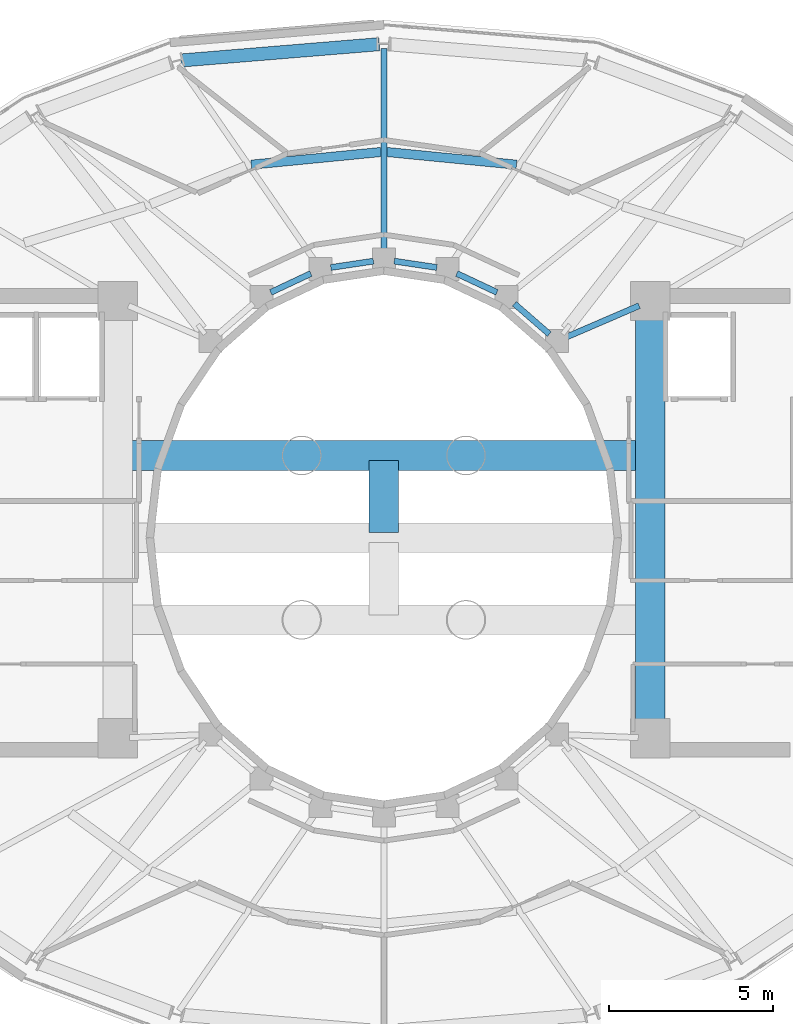
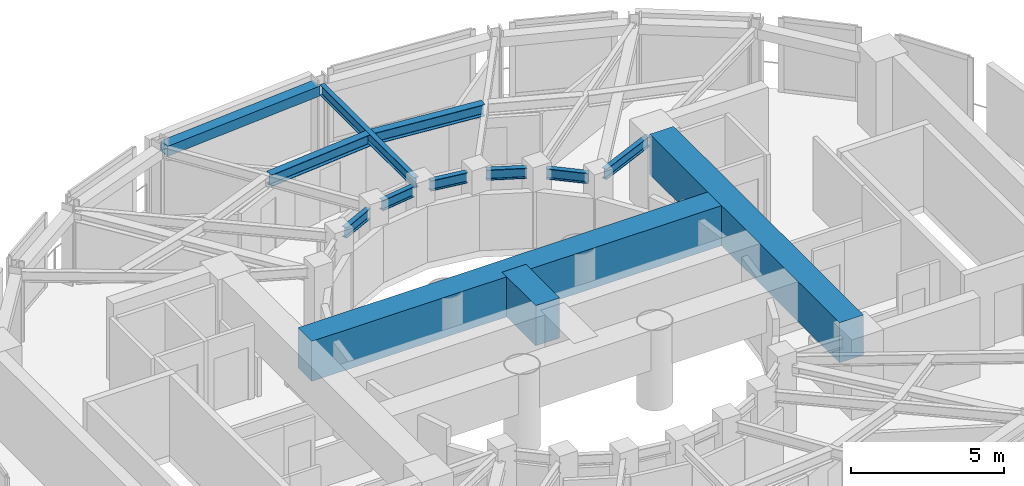
# One storey, part 10 of 17: 13 beams.
"""IFC4 building model written with IfcOpenShell, lengths in metres."""

from ifc_helpers import new_model, si_unit, direction, frame, origin, origin_2d, place, context, subcontext, project, spatial, rectangle, hollow_rectangle, i_section, extrude, material, material_profile, profile_set, type_object, element, save


model = new_model("IFC4")

# Units and contexts
model_context = context("Model", 3, precision=1e-05, world=origin(), true_north=direction((0.0, 1.0)))
body_context = subcontext(model_context, "Body", "Model", "MODEL_VIEW")
ifc_project = project(units=[si_unit("LENGTHUNIT", "METRE"), si_unit("AREAUNIT", "SQUARE_METRE"), si_unit("VOLUMEUNIT", "CUBIC_METRE"), si_unit("PLANEANGLEUNIT", "RADIAN"), si_unit("MASSUNIT", "GRAM", prefix="KILO")], contexts=[model_context])

# Site, building, storey
site_placement = place(None, origin())
site = spatial("IfcSite", under=ifc_project, at=site_placement, CompositionType="ELEMENT")
building_placement = place(site_placement, origin())
building = spatial("IfcBuilding", under=site, at=building_placement, Name="Solvane Sanctuary Tower", CompositionType="ELEMENT")
storey_placement = place(building_placement, frame((0.0, 0.0, 276.39990234375)))
storey = spatial("IfcBuildingStorey", under=building, at=storey_placement, Name="L84", CompositionType="ELEMENT", Elevation=276.39990234375)

# Beams
ifc_material_1 = material(Name="Steel ASTM A913 Grade 65", Category="steel")
ifc_material_profile_1 = material_profile(ifc_material_1, hollow_rectangle(XDim=0.39990234375, YDim=0.39990234375, WallThickness=0.01611328125, at=origin_2d()), Name="HSS400X400X16")
ifc_profile_set_1 = profile_set([ifc_material_profile_1], Name="Steel ASTM A913 Grade 65")
beam_type_1 = type_object("IfcBeamType", Name="Beam B-CROWN-CAP HSS400X400X16", PredefinedType="T_BEAM", material=ifc_profile_set_1)
beam_1_placement = place(storey_placement, frame((25.8310546875, 37.517333984375, 2.748046875), z_axis=(0.996632319823, 0.082000116366, 0.0), x_axis=(-0.082000116366, 0.996632319823, 0.0)))
element("IfcBeam", 1, at=beam_1_placement, inside=storey, type_object=beam_type_1, Name="L84 Perimeter Spandrel Beam TC05-TC04", PredefinedType="T_BEAM", context=body_context, shape_type="SweptSolid", body=[
    extrude(hollow_rectangle(XDim=0.39990234375, YDim=0.39990234375, WallThickness=0.01611328125, at=origin_2d()), origin(), (0.0, 0.0, 1.0), 6.0498046875),
])
ifc_material_2 = material(Name="Steel ASTM A992 Grade 50", Category="steel")
ifc_material_profile_2 = material_profile(ifc_material_2, i_section(OverallWidth=0.180908203125, OverallDepth=0.4169921875, WebThickness=0.010986328125, FlangeThickness=0.018310546875, FilletRadius=0.012939453125, at=origin_2d()), Name="W16X57")
ifc_profile_set_2 = profile_set([ifc_material_profile_2], Name="Steel ASTM A992 Grade 50")
beam_type_2 = type_object("IfcBeamType", Name="Beam B-ROOF-BM W16X57", PredefinedType="BEAM", material=ifc_profile_set_2)
beam_2_placement = place(storey_placement, frame((28.5595703125, 30.462646484375, 2.739501953125), z_axis=(0.905134542189, 0.425125229241, 0.0), x_axis=(-0.425125229241, 0.905134542189, 0.0)))
element("IfcBeam", 2, at=beam_2_placement, inside=storey, type_object=beam_type_2, Name="L84 Inner Light-Well Ring Beam IC06-IC05", PredefinedType="BEAM", context=body_context, shape_type="SweptSolid", body=[
    extrude(i_section(OverallWidth=0.180908203125, OverallDepth=0.4169921875, WebThickness=0.010986328125, FlangeThickness=0.018310546875, FilletRadius=0.012939453125, at=origin_2d()), origin(), (0.0, 0.0, 1.0), 1.347900390625),
])
for number, where, z_axis, x_axis, name in (
    (3, (30.3857421875, 31.218994140625, 2.739501953125), (0.989056121481, 0.147539786368, 0.0), (-0.147539786368, 0.989056121481, 0.0), "L84 Inner Light-Well Ring Beam IC05-IC04"),
    (4, (32.31640625, 31.41259765625, 2.739501953125), (0.989056121481, -0.147539786368, 0.0), (0.147539786368, 0.989056121481, 0.0), "L84 Inner Light-Well Ring Beam IC04-IC03"),
):
    element("IfcBeam", number, at=place(storey_placement, frame(where, z_axis=z_axis, x_axis=x_axis)), inside=storey, type_object=beam_type_2, Name=name, PredefinedType="BEAM", context=body_context, shape_type="SweptSolid", body=[
        extrude(i_section(OverallWidth=0.180908203125, OverallDepth=0.4169921875, WebThickness=0.010986328125, FlangeThickness=0.018310546875, FilletRadius=0.012939453125, at=origin_2d()), origin(), (0.0, 0.0, 1.0), 1.312255859375),
    ])
beam_3_placement = place(storey_placement, frame((34.220458984375, 31.03564453125, 2.739501953125), z_axis=(0.905134542189, -0.425125229241, 0.0), x_axis=(0.425125229241, 0.905134542189, 0.0)))
element("IfcBeam", 5, at=beam_3_placement, inside=storey, type_object=beam_type_2, Name="L84 Inner Light-Well Ring Beam IC03-IC02", PredefinedType="BEAM", context=body_context, shape_type="SweptSolid", body=[
    extrude(i_section(OverallWidth=0.180908203125, OverallDepth=0.4169921875, WebThickness=0.010986328125, FlangeThickness=0.018310546875, FilletRadius=0.012939453125, at=origin_2d()), origin(), (0.0, 0.0, 1.0), 1.347900390625),
])
beam_4_placement = place(storey_placement, frame((35.971435546875, 30.116455078125, 2.739501953125), z_axis=(0.754388985763, -0.656427648839, 0.0), x_axis=(0.656427648839, 0.754388985763, 0.0)))
element("IfcBeam", 6, at=beam_4_placement, inside=storey, type_object=beam_type_2, Name="L84 Inner Light-Well Ring Beam IC02-IC01", PredefinedType="BEAM", context=body_context, shape_type="SweptSolid", body=[
    extrude(i_section(OverallWidth=0.180908203125, OverallDepth=0.4169921875, WebThickness=0.010986328125, FlangeThickness=0.018310546875, FilletRadius=0.012939453125, at=origin_2d()), origin(), (0.0, 0.0, 1.0), 1.408203125),
])
beam_5_placement = place(storey_placement, frame((37.56884765625, 29.10888671875, 2.739501953125), z_axis=(0.918283854026, 0.395922673554, 0.0), x_axis=(-0.395922673554, 0.918283854026, 0.0)))
element("IfcBeam", 7, at=beam_5_placement, inside=storey, type_object=beam_type_2, Name="L84 Inner Light-Well Ring Beam IC01-CE4", PredefinedType="BEAM", context=body_context, shape_type="SweptSolid", body=[
    extrude(i_section(OverallWidth=0.180908203125, OverallDepth=0.4169921875, WebThickness=0.010986328125, FlangeThickness=0.018310546875, FilletRadius=0.012939453125, at=origin_2d()), origin(), (0.0, 0.0, 1.0), 2.396240234375),
])
beam_6_placement = place(storey_placement, frame((32.0, 31.739990234375, 2.739501953125), z_axis=(0.0, 1.0, 0.0), x_axis=(-1.0, 0.0, 0.0)))
element("IfcBeam", 8, at=beam_6_placement, inside=storey, type_object=beam_type_2, Name="L84 Radial Composite Floor Beam 04", PredefinedType="BEAM", context=body_context, shape_type="SweptSolid", body=[
    extrude(i_section(OverallWidth=0.180908203125, OverallDepth=0.4169921875, WebThickness=0.010986328125, FlangeThickness=0.018310546875, FilletRadius=0.012939453125, at=origin_2d()), origin(), (0.0, 0.0, 1.0), 6.14501953125),
])
ifc_material_profile_3 = material_profile(ifc_material_2, i_section(OverallWidth=0.280029296875, OverallDepth=0.462890625, WebThickness=0.0107421875, FlangeThickness=0.017333984375, FilletRadius=0.013916015625, at=origin_2d()), Name="W18X76")
ifc_profile_set_3 = profile_set([ifc_material_profile_3], Name="Steel ASTM A992 Grade 50")
beam_type_3 = type_object("IfcBeamType", Name="Beam B-SEC-JOIST W18X76", PredefinedType="JOIST", material=ifc_profile_set_3)
for number, where, z_axis, x_axis, name in (
    (9, (27.965576171875, 34.34716796875, 2.716552734375), (0.995233795259, 0.097517653653, 0.0), (-0.097517653653, 0.995233795259, 0.0), "L84 Secondary Circumferential Joist 05-04"),
    (10, (32.085205078125, 34.734130859375, 2.716552734375), (0.995233795259, -0.097517653653, 0.0), (0.097517653653, 0.995233795259, 0.0), "L84 Secondary Circumferential Joist 04-03"),
):
    element("IfcBeam", number, at=place(storey_placement, frame(where, z_axis=z_axis, x_axis=x_axis)), inside=storey, type_object=beam_type_3, Name=name, PredefinedType="JOIST", context=body_context, shape_type="SweptSolid", body=[
        extrude(i_section(OverallWidth=0.280029296875, OverallDepth=0.462890625, WebThickness=0.0107421875, FlangeThickness=0.017333984375, FilletRadius=0.013916015625, at=origin_2d()), origin(), (0.0, 0.0, 1.0), 3.968017578125),
    ])
ifc_material_3 = material(Name="Concrete C60/75", Category="concrete")
ifc_material_profile_4 = material_profile(ifc_material_3, rectangle(XDim=0.89990234375, YDim=1.60009765625, at=origin_2d()), Name="RC900X1600")
ifc_profile_set_4 = profile_set([ifc_material_profile_4], Name="Concrete C60/75")
beam_type_4 = type_object("IfcBeamType", Name="Beam B-XFER-SP RC900X1600", PredefinedType="BEAM", material=ifc_profile_set_4)
beam_7_placement = place(storey_placement, frame((40.10009765625, 17.35009765625, 2.400146484375), z_axis=(0.0, 1.0, 0.0), x_axis=(-1.0, 0.0, 0.0)))
element("IfcBeam", 11, at=beam_7_placement, inside=storey, type_object=beam_type_4, Name="L84 Roof Spire East Core Girder", PredefinedType="BEAM", context=body_context, shape_type="SweptSolid", body=[
    extrude(rectangle(XDim=0.89990234375, YDim=1.60009765625, at=origin_2d()), origin(), (0.0, 0.0, 1.0), 12.39990234375),
])
beam_8_placement = place(storey_placement, frame((24.199951171875, 25.5, 2.400146484375), z_axis=(1.0, 0.0, 0.0), x_axis=(0.0, 1.0, 0.0)))
element("IfcBeam", 12, at=beam_8_placement, inside=storey, type_object=beam_type_4, Name="L84 Roof Spire Tie Girder N", PredefinedType="BEAM", context=body_context, shape_type="SweptSolid", body=[
    extrude(rectangle(XDim=0.89990234375, YDim=1.60009765625, at=origin_2d()), origin(), (0.0, 0.0, 1.0), 15.60009765625),
])
beam_9_placement = place(storey_placement, frame((32.0, 23.14990234375, 2.400146484375), z_axis=(0.0, 1.0, 0.0), x_axis=(-1.0, 0.0, 0.0)))
element("IfcBeam", 13, at=beam_9_placement, inside=storey, type_object=beam_type_4, Name="L84 Roof Spire North Spine Girder", PredefinedType="BEAM", context=body_context, shape_type="SweptSolid", body=[
    extrude(rectangle(XDim=0.89990234375, YDim=1.60009765625, at=origin_2d()), origin(), (0.0, 0.0, 1.0), 2.2001953125),
])

save(model, "model.ifc")
